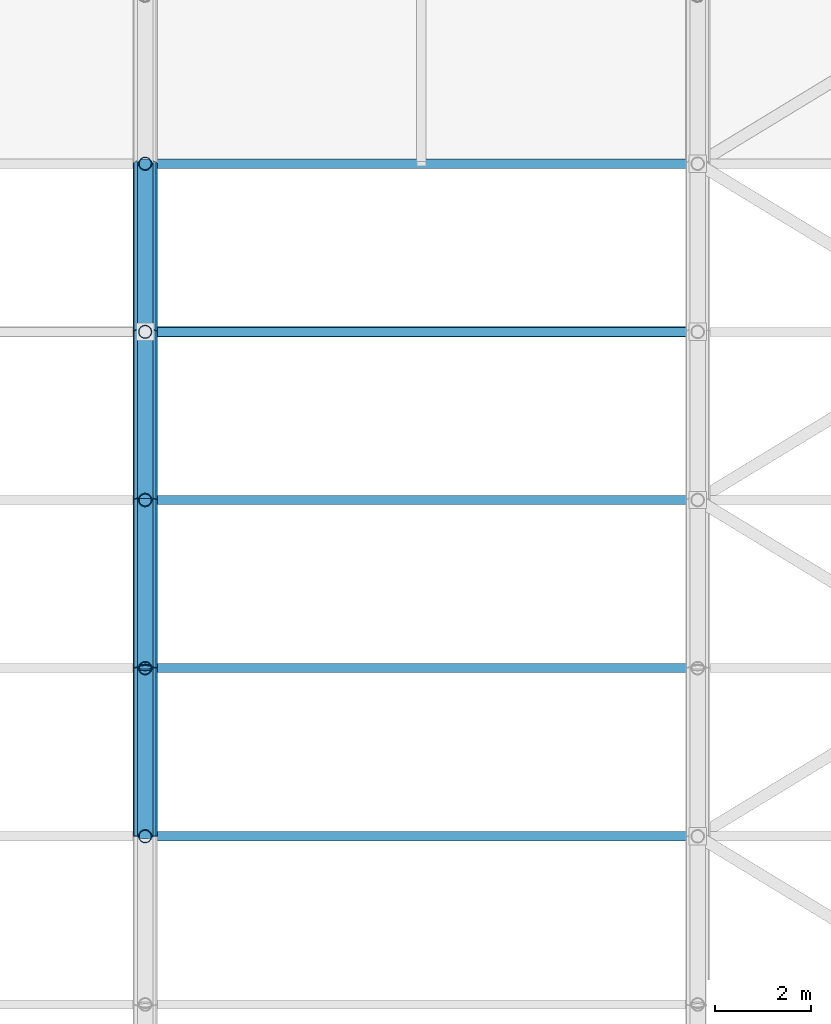
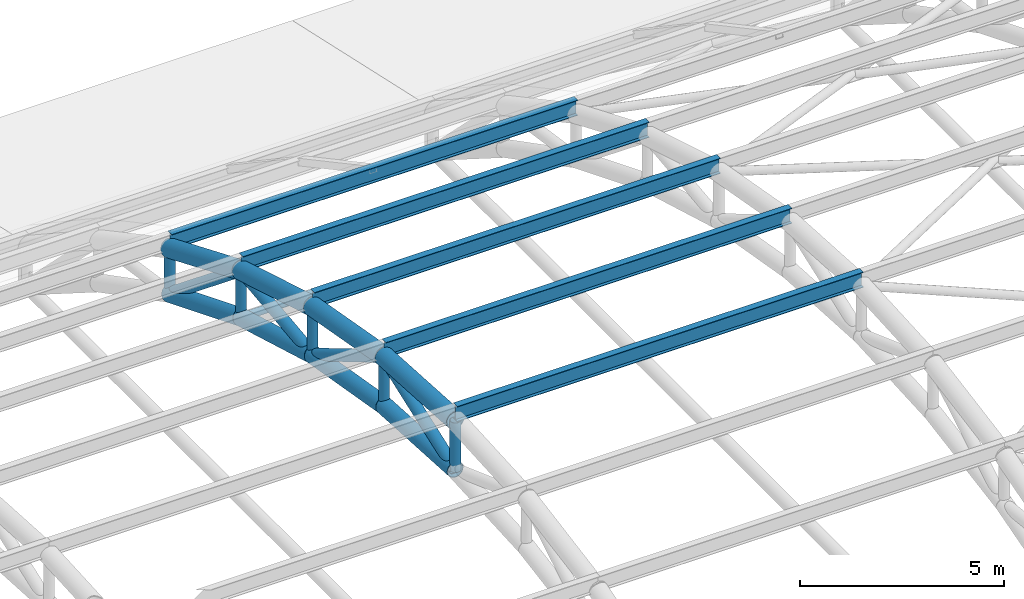
# One storey, part 52 of 154: 23 members.
"""IFC4 building model written with IfcOpenShell, lengths in metres."""

from ifc_helpers import new_model, si_unit, direction, frame, origin, origin_2d, place, context, subcontext, project, spatial, hollow_circle, i_section, extrude, material, material_profile, profile_set, type_object, element, save


model = new_model("IFC4")

# Units and contexts
model_context = context("Model", 3, precision=1e-05, world=origin(), true_north=direction((0.0, 1.0)))
body_context = subcontext(model_context, "Body", "Model", "MODEL_VIEW")
ifc_project = project(units=[si_unit("LENGTHUNIT", "METRE"), si_unit("AREAUNIT", "SQUARE_METRE"), si_unit("VOLUMEUNIT", "CUBIC_METRE"), si_unit("PLANEANGLEUNIT", "RADIAN"), si_unit("MASSUNIT", "GRAM", prefix="KILO")], contexts=[model_context])

# Site, building, storey
site_placement = place(None, origin())
site = spatial("IfcSite", under=ifc_project, at=site_placement, CompositionType="ELEMENT")
building_placement = place(site_placement, origin())
building = spatial("IfcBuilding", under=site, at=building_placement, Name="Ologun Quay Terminus", CompositionType="ELEMENT")
storey_placement = place(building_placement, frame((0.0, 0.0, 13.800048828125)))
storey = spatial("IfcBuildingStorey", under=building, at=storey_placement, Name="L03", CompositionType="ELEMENT", Elevation=13.800048828125)

# Members
ifc_material_1 = material(Name="Steel S355", Category="steel")
ifc_material_profile_1 = material_profile(ifc_material_1, hollow_circle(Radius=0.136474609375, WallThickness=0.010009765625, at=origin_2d()), Name="CHS 273x10")
ifc_profile_set_1 = profile_set([ifc_material_profile_1], Name="Steel S355")
member_type_1 = type_object("IfcMemberType", Name="Arch Truss Vertical Post CHS273", PredefinedType="STRUT", material=ifc_profile_set_1)
member_1_placement = place(storey_placement, frame((69.0, 57.0, 7.239990234375), z_axis=(0.0, 0.0, 1.0), x_axis=(1.0, 0.0, 0.0)))
element("IfcMember", 1, at=member_1_placement, inside=storey, type_object=member_type_1, Name="AW2 Arch Web Post 7-N6", PredefinedType="STRUT", context=body_context, shape_type="SweptSolid", body=[
    extrude(hollow_circle(Radius=0.136474609375, WallThickness=0.010009765625, at=origin_2d()), origin(), (0.0, 0.0, 1.0), 1.47998046875),
])
member_2_placement = place(storey_placement, frame((69.0, 60.5, 7.038818359375), z_axis=(0.0, 0.0, 1.0), x_axis=(1.0, 0.0, 0.0)))
element("IfcMember", 2, at=member_2_placement, inside=storey, type_object=member_type_1, Name="AW2 Arch Web Post 7-N7", PredefinedType="STRUT", context=body_context, shape_type="SweptSolid", body=[
    extrude(hollow_circle(Radius=0.136474609375, WallThickness=0.010009765625, at=origin_2d()), origin(), (0.0, 0.0, 1.0), 1.47216796875),
])
member_3_placement = place(storey_placement, frame((69.0, 64.0, 6.435546875), z_axis=(0.0, 0.0, 1.0), x_axis=(1.0, 0.0, 0.0)))
element("IfcMember", 3, at=member_3_placement, inside=storey, type_object=member_type_1, Name="AW2 Arch Web Post 7-N8", PredefinedType="STRUT", context=body_context, shape_type="SweptSolid", body=[
    extrude(hollow_circle(Radius=0.136474609375, WallThickness=0.010009765625, at=origin_2d()), origin(), (0.0, 0.0, 1.0), 1.44873046875),
])
member_4_placement = place(storey_placement, frame((69.0, 67.5, 5.429931640625), z_axis=(0.0, 0.0, 1.0), x_axis=(1.0, 0.0, 0.0)))
element("IfcMember", 4, at=member_4_placement, inside=storey, type_object=member_type_1, Name="AW2 Arch Web Post 7-N9", PredefinedType="STRUT", context=body_context, shape_type="SweptSolid", body=[
    extrude(hollow_circle(Radius=0.136474609375, WallThickness=0.010009765625, at=origin_2d()), origin(), (0.0, 0.0, 1.0), 1.409912109375),
])
member_5_placement = place(storey_placement, frame((69.0, 71.0, 4.022216796875), z_axis=(0.0, 0.0, 1.0), x_axis=(1.0, 0.0, 0.0)))
element("IfcMember", 5, at=member_5_placement, inside=storey, type_object=member_type_1, Name="AW2 Arch Web Post 7-N10", PredefinedType="STRUT", context=body_context, shape_type="SweptSolid", body=[
    extrude(hollow_circle(Radius=0.136474609375, WallThickness=0.010009765625, at=origin_2d()), origin(), (0.0, 0.0, 1.0), 1.35546875),
])
ifc_material_2 = material(Name="Steel S355", Category="steel")
ifc_material_profile_2 = material_profile(ifc_material_2, hollow_circle(Radius=0.161865234375, WallThickness=0.010009765625, at=origin_2d()), Name="CHS 323.9x10")
ifc_profile_set_2 = profile_set([ifc_material_profile_2], Name="Steel S355")
member_type_2 = type_object("IfcMemberType", Name="Arch Truss Web Diagonal CHS323", PredefinedType="BRACE", material=ifc_profile_set_2)
member_6_placement = place(storey_placement, frame((69.0, 57.0, 7.239990234375), z_axis=(0.0, 0.939942650142, 0.34133241048), x_axis=(-1.0, 0.0, 0.0)))
element("IfcMember", 6, at=member_6_placement, inside=storey, type_object=member_type_2, Name="AW1 Arch Web Diagonal 7-P7", PredefinedType="BRACE", context=body_context, shape_type="SweptSolid", body=[
    extrude(hollow_circle(Radius=0.161865234375, WallThickness=0.010009765625, at=origin_2d()), origin(), (0.0, 0.0, 1.0), 3.7236328125),
])
member_7_placement = place(storey_placement, frame((69.0, 60.5, 8.510986328125), z_axis=(0.0, 0.860144332958, -0.510050709715), x_axis=(-1.0, 0.0, 0.0)))
element("IfcMember", 7, at=member_7_placement, inside=storey, type_object=member_type_2, Name="AW1 Arch Web Diagonal 7-P8", PredefinedType="BRACE", context=body_context, shape_type="SweptSolid", body=[
    extrude(hollow_circle(Radius=0.161865234375, WallThickness=0.010009765625, at=origin_2d()), origin(), (0.0, 0.0, 1.0), 4.069091796875),
])
member_8_placement = place(storey_placement, frame((69.0, 64.0, 6.435546875), z_axis=(0.0, 0.993394361, 0.114750353084), x_axis=(-1.0, 0.0, 0.0)))
element("IfcMember", 8, at=member_8_placement, inside=storey, type_object=member_type_2, Name="AW1 Arch Web Diagonal 7-P9", PredefinedType="BRACE", context=body_context, shape_type="SweptSolid", body=[
    extrude(hollow_circle(Radius=0.161865234375, WallThickness=0.010009765625, at=origin_2d()), origin(), (0.0, 0.0, 1.0), 3.523193359375),
])
member_9_placement = place(storey_placement, frame((69.0, 67.5, 6.83984375), z_axis=(0.0, 0.77895148125, -0.627084196785), x_axis=(-1.0, 0.0, 0.0)))
element("IfcMember", 9, at=member_9_placement, inside=storey, type_object=member_type_2, Name="AW1 Arch Web Diagonal 7-P10", PredefinedType="BRACE", context=body_context, shape_type="SweptSolid", body=[
    extrude(hollow_circle(Radius=0.161865234375, WallThickness=0.010009765625, at=origin_2d()), origin(), (0.0, 0.0, 1.0), 4.4931640625),
])
ifc_material_3 = material(Name="Steel S355", Category="steel")
ifc_material_profile_3 = material_profile(ifc_material_3, hollow_circle(Radius=0.228515625, WallThickness=0.01611328125, at=origin_2d()), Name="CHS 457x16")
ifc_profile_set_3 = profile_set([ifc_material_profile_3], Name="Steel S355")
member_type_3 = type_object("IfcMemberType", Name="Parabolic Arch Bottom Chord CHS457", PredefinedType="CHORD", material=ifc_profile_set_3)
member_10_placement = place(storey_placement, frame((69.0, 57.0, 7.239990234375), z_axis=(0.0, 0.998352239869, -0.057382969144), x_axis=(-1.0, 0.0, 0.0)))
element("IfcMember", 10, at=member_10_placement, inside=storey, type_object=member_type_3, Name="AC2 Arch Bottom Chord 7-P7", PredefinedType="CHORD", context=body_context, shape_type="SweptSolid", body=[
    extrude(hollow_circle(Radius=0.228515625, WallThickness=0.01611328125, at=origin_2d()), origin(), (0.0, 0.0, 1.0), 3.505859375),
])
member_11_placement = place(storey_placement, frame((69.0, 60.5, 7.038818359375), z_axis=(0.0, 0.985468449185, -0.16985857547), x_axis=(-1.0, 0.0, 0.0)))
element("IfcMember", 11, at=member_11_placement, inside=storey, type_object=member_type_3, Name="AC2 Arch Bottom Chord 7-P8", PredefinedType="CHORD", context=body_context, shape_type="SweptSolid", body=[
    extrude(hollow_circle(Radius=0.228515625, WallThickness=0.01611328125, at=origin_2d()), origin(), (0.0, 0.0, 1.0), 3.551513671875),
])
member_12_placement = place(storey_placement, frame((69.0, 64.0, 6.435546875), z_axis=(0.0, 0.961115578425, -0.276146419331), x_axis=(-1.0, 0.0, 0.0)))
element("IfcMember", 12, at=member_12_placement, inside=storey, type_object=member_type_3, Name="AC2 Arch Bottom Chord 7-P9", PredefinedType="CHORD", context=body_context, shape_type="SweptSolid", body=[
    extrude(hollow_circle(Radius=0.228515625, WallThickness=0.01611328125, at=origin_2d()), origin(), (0.0, 0.0, 1.0), 3.6416015625),
])
member_13_placement = place(storey_placement, frame((69.0, 67.5, 5.429931640625), z_axis=(0.0, 0.92776983497, -0.373152962363), x_axis=(-1.0, 0.0, 0.0)))
element("IfcMember", 13, at=member_13_placement, inside=storey, type_object=member_type_3, Name="AC2 Arch Bottom Chord 7-P10", PredefinedType="CHORD", context=body_context, shape_type="SweptSolid", body=[
    extrude(hollow_circle(Radius=0.228515625, WallThickness=0.01611328125, at=origin_2d()), origin(), (0.0, 0.0, 1.0), 3.7724609375),
])
ifc_material_4 = material(Name="Steel S355", Category="steel")
ifc_material_profile_4 = material_profile(ifc_material_4, hollow_circle(Radius=0.25390625, WallThickness=0.01611328125, at=origin_2d()), Name="CHS 508x16")
ifc_profile_set_4 = profile_set([ifc_material_profile_4], Name="Steel S355")
member_type_4 = type_object("IfcMemberType", Name="Parabolic Arch Top Chord CHS508", PredefinedType="CHORD", material=ifc_profile_set_4)
member_14_placement = place(storey_placement, frame((69.0, 57.0, 8.719970703125), z_axis=(0.0, 0.998222121157, -0.0596036646), x_axis=(-1.0, 0.0, 0.0)))
element("IfcMember", 14, at=member_14_placement, inside=storey, type_object=member_type_4, Name="Arch Top Chord 7-P7", PredefinedType="CHORD", context=body_context, shape_type="SweptSolid", body=[
    extrude(hollow_circle(Radius=0.25390625, WallThickness=0.01611328125, at=origin_2d()), origin(), (0.0, 0.0, 1.0), 3.50634765625),
])
member_15_placement = place(storey_placement, frame((69.0, 60.5, 8.510986328125), z_axis=(0.0, 0.984344289591, -0.176256402859), x_axis=(-1.0, 0.0, 0.0)))
element("IfcMember", 15, at=member_15_placement, inside=storey, type_object=member_type_4, Name="Arch Top Chord 7-P8", PredefinedType="CHORD", context=body_context, shape_type="SweptSolid", body=[
    extrude(hollow_circle(Radius=0.25390625, WallThickness=0.01611328125, at=origin_2d()), origin(), (0.0, 0.0, 1.0), 3.5556640625),
])
member_16_placement = place(storey_placement, frame((69.0, 64.0, 7.88427734375), z_axis=(0.0, 0.958244712677, -0.285949419701), x_axis=(-1.0, 0.0, 0.0)))
element("IfcMember", 16, at=member_16_placement, inside=storey, type_object=member_type_4, Name="Arch Top Chord 7-P9", PredefinedType="CHORD", context=body_context, shape_type="SweptSolid", body=[
    extrude(hollow_circle(Radius=0.25390625, WallThickness=0.01611328125, at=origin_2d()), origin(), (0.0, 0.0, 1.0), 3.652587890625),
])
member_17_placement = place(storey_placement, frame((69.0, 67.5, 6.83984375), z_axis=(0.0, 0.922718523726, -0.385474416755), x_axis=(-1.0, 0.0, 0.0)))
element("IfcMember", 17, at=member_17_placement, inside=storey, type_object=member_type_4, Name="Arch Top Chord 7-P10", PredefinedType="CHORD", context=body_context, shape_type="SweptSolid", body=[
    extrude(hollow_circle(Radius=0.25390625, WallThickness=0.01611328125, at=origin_2d()), origin(), (0.0, 0.0, 1.0), 3.793212890625),
])
ifc_material_5 = material(Name="Steel S355", Category="steel")
ifc_material_profile_5 = material_profile(ifc_material_5, hollow_circle(Radius=0.109619140625, WallThickness=0.008056640625, at=origin_2d()), Name="CHS 219.1x8")
ifc_profile_set_5 = profile_set([ifc_material_profile_5], Name="Steel S355")
member_type_5 = type_object("IfcMemberType", Name="Roof Plan Wind Brace Collector CHS219", PredefinedType="STRUT", material=ifc_profile_set_5)
member_18_placement = place(storey_placement, frame((69.0, 67.5, 5.429931640625), z_axis=(1.0, 0.0, 0.0), x_axis=(0.0, 1.0, 0.0)))
element("IfcMember", 18, at=member_18_placement, inside=storey, type_object=member_type_5, Name="WB2 Collector Strut B7-K9", PredefinedType="STRUT", context=body_context, shape_type="SweptSolid", body=[
    extrude(hollow_circle(Radius=0.109619140625, WallThickness=0.008056640625, at=origin_2d()), origin(), (0.0, 0.0, 1.0), 11.5),
])
ifc_material_6 = material(Name="Steel S355", Category="steel")
ifc_material_profile_6 = material_profile(ifc_material_6, i_section(OverallWidth=0.1904296875, OverallDepth=0.45703125, WebThickness=0.009033203125, FlangeThickness=0.014404296875, at=origin_2d()), Name="UKB 457x191x74")
ifc_profile_set_6 = profile_set([ifc_material_profile_6], Name="Steel S355")
member_type_6 = type_object("IfcMemberType", Name="Train Shed Primary Roof Purlin UKB457", PredefinedType="PURLIN", material=ifc_profile_set_6)
for number, where, z_axis, x_axis, name in (
    (19, (69.0, 57.0, 8.948486328125), (1.0, 0.0, 0.0), (0.0, 1.0, 0.0), "PR1 Roof Purlin B7-N6"),
    (20, (69.0, 60.5, 8.739501953125), (1.0, 0.0, 0.0), (0.0, 1.0, 0.0), "PR1 Roof Purlin B7-N7"),
    (21, (69.0, 64.0, 8.11279296875), (1.0, 0.0, 0.0), (0.0, 1.0, 0.0), "PR1 Roof Purlin B7-N8"),
    (22, (69.0, 67.5, 7.068359375), (1.0, 0.0, 0.0), (0.0, 1.0, 0.0), "PR1 Roof Purlin B7-N9"),
    (23, (69.0, 71.0, 5.606201171875), (1.0, 0.0, 0.0), (0.0, 1.0, 0.0), "PR1 Roof Purlin B7-N10"),
):
    element("IfcMember", number, at=place(storey_placement, frame(where, z_axis=z_axis, x_axis=x_axis)), inside=storey, type_object=member_type_6, Name=name, PredefinedType="PURLIN", context=body_context, shape_type="SweptSolid", body=[
        extrude(i_section(OverallWidth=0.1904296875, OverallDepth=0.45703125, WebThickness=0.009033203125, FlangeThickness=0.014404296875, at=origin_2d()), origin(), (0.0, 0.0, 1.0), 11.5),
    ])

save(model, "model.ifc")
